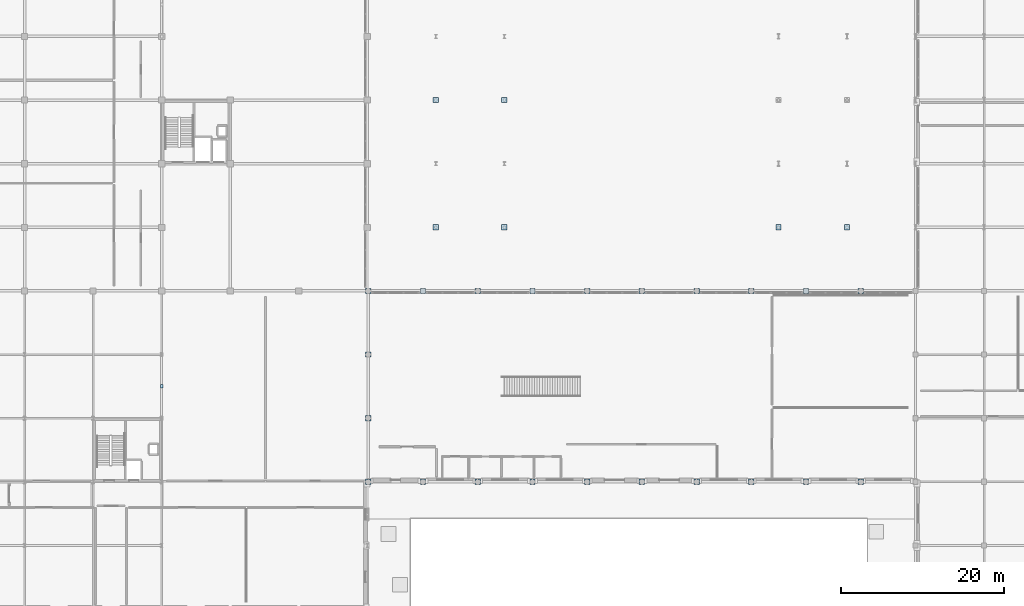
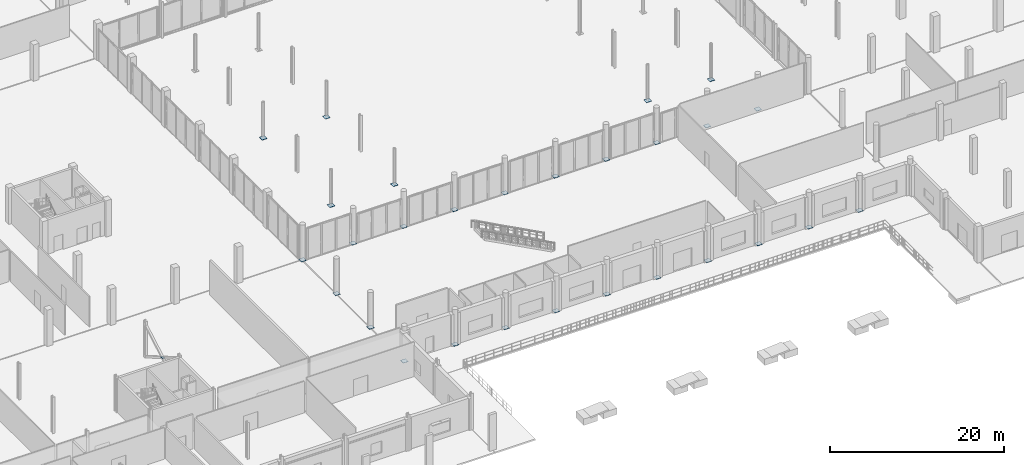
# One storey, part 44 of 80: 29 plates.
"""IFC4 building model written with IfcOpenShell, lengths in metres."""

from ifc_helpers import new_model, si_unit, direction, frame, origin, origin_2d, place, context, subcontext, project, spatial, rectangle, extrude, material, layer, layer_set, type_object, element, save


model = new_model("IFC4")

# Units and contexts
model_context = context("Model", 3, precision=1e-05, world=origin(), true_north=direction((0.0, 1.0)))
body_context = subcontext(model_context, "Body", "Model", "MODEL_VIEW")
ifc_project = project(units=[si_unit("LENGTHUNIT", "METRE"), si_unit("AREAUNIT", "SQUARE_METRE"), si_unit("VOLUMEUNIT", "CUBIC_METRE"), si_unit("PLANEANGLEUNIT", "RADIAN"), si_unit("MASSUNIT", "GRAM", prefix="KILO")], contexts=[model_context])

# Site, building, storey
site_placement = place(None, origin())
site = spatial("IfcSite", under=ifc_project, at=site_placement, CompositionType="ELEMENT")
building_placement = place(site_placement, origin())
building = spatial("IfcBuilding", under=site, at=building_placement, Name="Nabrawat Pavilion Hospital", CompositionType="ELEMENT")
storey_placement = place(building_placement, origin())
storey = spatial("IfcBuildingStorey", under=building, at=storey_placement, Name="L00", CompositionType="ELEMENT", Elevation=0.0)

# Plates
ifc_material = material(Name="Steel S355", Category="steel")
ifc_layer_1 = layer(ifc_material, 0.0400390625, Name="Steel S355")
ifc_layer_set_1 = layer_set([ifc_layer_1], Name="Steel S355")
plate_type_1 = type_object("IfcPlateType", Name="Column Base Flange Plate 650x650x40", PredefinedType="USERDEFINED", material=ifc_layer_set_1)
for number, where, z_axis, x_axis, name in (
    (1, (75.60009765625, 46.800048828125, 0.0), (0.0, 0.0, 1.0), (1.0, 0.0, 0.0), "L00 Column Flange Plate G-10-G"),
    (2, (75.60009765625, 62.39990234375, 0.0), (0.0, 0.0, 1.0), (1.0, 0.0, 0.0), "L00 Column Flange Plate G-10-J"),
    (3, (109.199951171875, 46.800048828125, 0.0), (0.0, 0.0, 1.0), (1.0, 0.0, 0.0), "L00 Column Flange Plate G-14-G"),
    (4, (117.60009765625, 46.800048828125, 0.0), (0.0, 0.0, 1.0), (1.0, 0.0, 0.0), "L00 Column Flange Plate G-15-G"),
    (5, (67.199951171875, 46.800048828125, 0.0), (0.0, 0.0, 1.0), (1.0, 0.0, 0.0), "L00 Column Flange Plate G-9-G"),
    (6, (67.199951171875, 62.39990234375, 0.0), (0.0, 0.0, 1.0), (1.0, 0.0, 0.0), "L00 Column Flange Plate G-9-J"),
    (7, (58.919921875, 39.0, 0.0), (0.0, 0.0, 1.0), (1.0, 0.0, 0.0), "L00 Column Flange Plate MH-N00"),
    (8, (65.6279296875, 39.0, 0.0), (0.0, 0.0, 1.0), (1.0, 0.0, 0.0), "L00 Column Flange Plate MH-N01"),
    (9, (72.3359375, 39.0, 0.0), (0.0, 0.0, 1.0), (1.0, 0.0, 0.0), "L00 Column Flange Plate MH-N02"),
    (10, (79.0439453125, 39.0, 0.0), (0.0, 0.0, 1.0), (1.0, 0.0, 0.0), "L00 Column Flange Plate MH-N03"),
    (11, (85.751953125, 39.0, 0.0), (0.0, 0.0, 1.0), (1.0, 0.0, 0.0), "L00 Column Flange Plate MH-N04"),
    (12, (92.4599609375, 39.0, 0.0), (0.0, 0.0, 1.0), (1.0, 0.0, 0.0), "L00 Column Flange Plate MH-N05"),
    (13, (99.16796875, 39.0, 0.0), (0.0, 0.0, 1.0), (1.0, 0.0, 0.0), "L00 Column Flange Plate MH-N06"),
    (14, (105.8759765625, 39.0, 0.0), (0.0, 0.0, 1.0), (1.0, 0.0, 0.0), "L00 Column Flange Plate MH-N07"),
    (15, (112.583984375, 39.0, 0.0), (0.0, 0.0, 1.0), (1.0, 0.0, 0.0), "L00 Column Flange Plate MH-N08"),
    (16, (119.2919921875, 39.0, 0.0), (0.0, 0.0, 1.0), (1.0, 0.0, 0.0), "L00 Column Flange Plate MH-N09"),
    (17, (58.919921875, 15.60009765625, 0.0), (0.0, 0.0, 1.0), (1.0, 0.0, 0.0), "L00 Column Flange Plate MH-S00"),
    (18, (65.6279296875, 15.60009765625, 0.0), (0.0, 0.0, 1.0), (1.0, 0.0, 0.0), "L00 Column Flange Plate MH-S01"),
    (19, (72.3359375, 15.60009765625, 0.0), (0.0, 0.0, 1.0), (1.0, 0.0, 0.0), "L00 Column Flange Plate MH-S02"),
    (20, (79.0439453125, 15.60009765625, 0.0), (0.0, 0.0, 1.0), (1.0, 0.0, 0.0), "L00 Column Flange Plate MH-S03"),
    (21, (85.751953125, 15.60009765625, 0.0), (0.0, 0.0, 1.0), (1.0, 0.0, 0.0), "L00 Column Flange Plate MH-S04"),
    (22, (92.4599609375, 15.60009765625, 0.0), (0.0, 0.0, 1.0), (1.0, 0.0, 0.0), "L00 Column Flange Plate MH-S05"),
    (23, (99.16796875, 15.60009765625, 0.0), (0.0, 0.0, 1.0), (1.0, 0.0, 0.0), "L00 Column Flange Plate MH-S06"),
    (24, (105.8759765625, 15.60009765625, 0.0), (0.0, 0.0, 1.0), (1.0, 0.0, 0.0), "L00 Column Flange Plate MH-S07"),
    (25, (112.583984375, 15.60009765625, 0.0), (0.0, 0.0, 1.0), (1.0, 0.0, 0.0), "L00 Column Flange Plate MH-S08"),
    (26, (119.2919921875, 15.60009765625, 0.0), (0.0, 0.0, 1.0), (1.0, 0.0, 0.0), "L00 Column Flange Plate MH-S09"),
    (27, (58.919921875, 23.39990234375, 0.0), (0.0, 0.0, 1.0), (1.0, 0.0, 0.0), "L00 Column Flange Plate MH-W01"),
    (28, (58.919921875, 31.199951171875, 0.0), (0.0, 0.0, 1.0), (1.0, 0.0, 0.0), "L00 Column Flange Plate MH-W02"),
):
    element("IfcPlate", number, at=place(storey_placement, frame(where, z_axis=z_axis, x_axis=x_axis)), inside=storey, type_object=plate_type_1, Name=name, ObjectType="FLANGE PLATE", PredefinedType="USERDEFINED", context=body_context, shape_type="SweptSolid", body=[
        extrude(rectangle(XDim=0.64990234375, YDim=0.64990234375, at=origin_2d()), origin(), (0.0, 0.0, 1.0), 0.0400390625),
    ])
ifc_layer_2 = layer(ifc_material, 0.02392578125, Name="Steel S355")
ifc_layer_set_2 = layer_set([ifc_layer_2], Name="Steel S355")
plate_type_2 = type_object("IfcPlateType", Name="X-Brace Crossing Gusset Plate 440x280x24", PredefinedType="USERDEFINED", material=ifc_layer_set_2)
plate_placement = place(storey_placement, frame((33.60009765625, 27.300048828125, 2.2880859375), z_axis=(0.0, 0.0, 1.0), x_axis=(1.0, 0.0, 0.0)))
element("IfcPlate", 29, at=plate_placement, inside=storey, type_object=plate_type_2, Name="L00 Split X-Brace Crossing Gusset Plate 02", ObjectType="GUSSET PLATE", PredefinedType="USERDEFINED", context=body_context, shape_type="SweptSolid", body=[
    extrude(rectangle(XDim=0.280029296875, YDim=0.43994140625, at=origin_2d()), origin(), (0.0, 0.0, 1.0), 0.02392578125),
])

save(model, "model.ifc")
